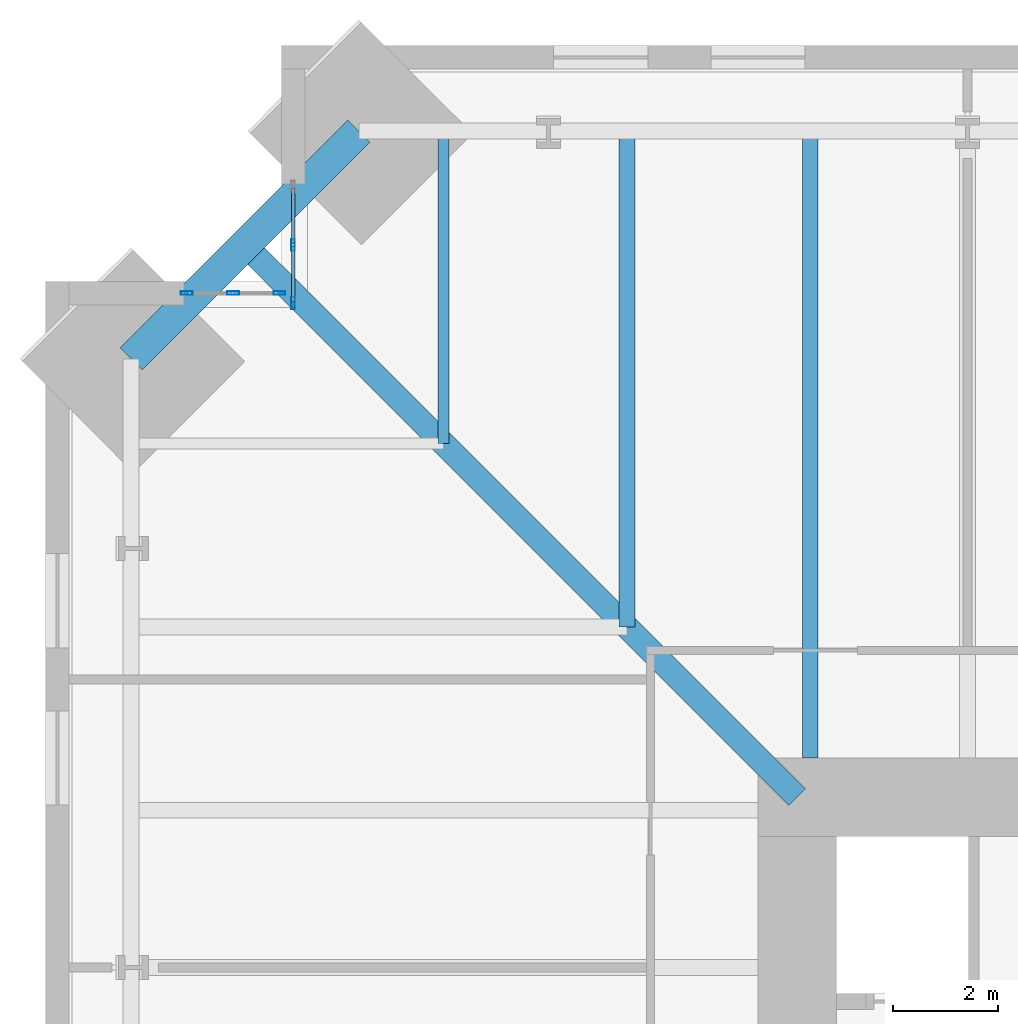
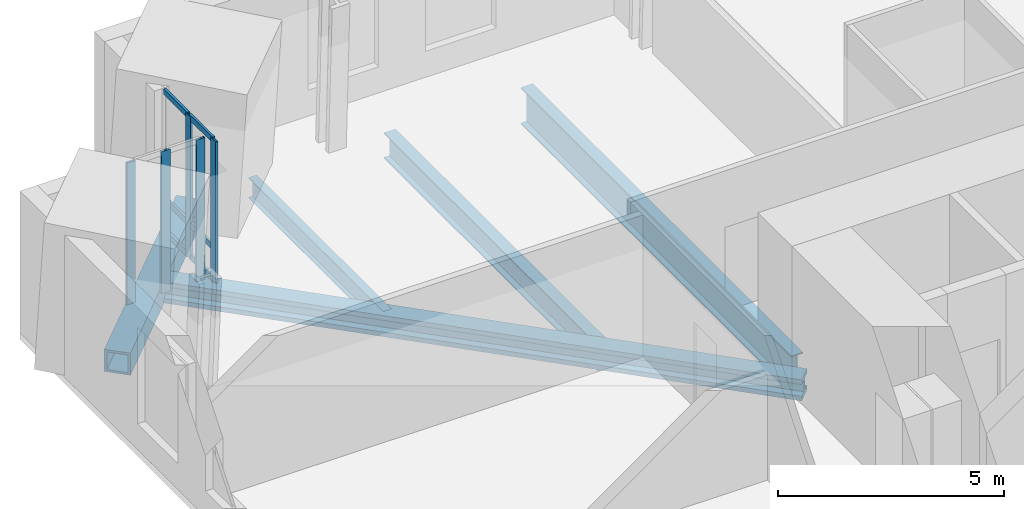
# One storey, part 6 of 18: 11 members, 5 beams, 2 elements without a shape of their own.
"""IFC4 building model written with IfcOpenShell, lengths in metres."""

from ifc_helpers import new_model, si_unit, direction, frame, origin, origin_2d, place, context, subcontext, project, spatial, hollow_rectangle, i_section, extrude, material, material_profile, profile_set, type_object, element, aggregate, save


model = new_model("IFC4")

# Units and contexts
model_context = context("Model", 3, precision=1e-05, world=origin(), true_north=direction((0.0, 1.0)))
body_context = subcontext(model_context, "Body", "Model", "MODEL_VIEW")
ifc_project = project(units=[si_unit("LENGTHUNIT", "METRE"), si_unit("AREAUNIT", "SQUARE_METRE"), si_unit("VOLUMEUNIT", "CUBIC_METRE"), si_unit("PLANEANGLEUNIT", "RADIAN"), si_unit("MASSUNIT", "GRAM", prefix="KILO")], contexts=[model_context])

# Site, building, storey
site_placement = place(None, origin())
site = spatial("IfcSite", under=ifc_project, at=site_placement, CompositionType="ELEMENT")
building_placement = place(site_placement, origin())
building = spatial("IfcBuilding", under=site, at=building_placement, Name="Peilmerk Tower", CompositionType="ELEMENT")
storey_placement = place(building_placement, frame((0.0, 0.0, 171.800048828125)))
storey = spatial("IfcBuildingStorey", under=building, at=storey_placement, Name="L36", CompositionType="ELEMENT", Elevation=171.800048828125)

# Beams
ifc_material_1 = material(Name="Steel S355", Category="steel")
ifc_material_profile_1 = material_profile(ifc_material_1, i_section(OverallWidth=0.2099609375, OverallDepth=0.550048828125, WebThickness=0.010986328125, FlangeThickness=0.01708984375, at=origin_2d()), Name="IPE 550")
ifc_profile_set_1 = profile_set([ifc_material_profile_1], Name="Steel S355")
beam_type_1 = type_object("IfcBeamType", Name="B12 IPE 550 floor beam", PredefinedType="BEAM", material=ifc_profile_set_1)
beam_1_placement = place(storey_placement, frame((-18.0, 18.0, -0.445068359375), z_axis=(0.0, 1.0, 0.0), x_axis=(-1.0, 0.0, 0.0)))
element("IfcBeam", 1, at=beam_1_placement, inside=storey, type_object=beam_type_1, Name="Floor beam L36", PredefinedType="BEAM", context=body_context, shape_type="SweptSolid", body=[
    extrude(i_section(OverallWidth=0.2099609375, OverallDepth=0.550048828125, WebThickness=0.010986328125, FlangeThickness=0.01708984375, at=origin_2d()), origin(), (0.0, 0.0, 1.0), 5.96923828125),
])
ifc_material_profile_2 = material_profile(ifc_material_1, i_section(OverallWidth=0.300048828125, OverallDepth=0.989990234375, WebThickness=0.0166015625, FlangeThickness=0.031005859375, at=origin_2d()), Name="HEA 1000")
ifc_profile_set_2 = profile_set([ifc_material_profile_2], Name="Steel S355")
beam_type_2 = type_object("IfcBeamType", Name="B14 HEA 1000 floor girder", PredefinedType="BEAM", material=ifc_profile_set_2)
beam_2_placement = place(storey_placement, frame((-11.0, 12.0, -0.6650390625), z_axis=(0.0, 1.0, 0.0), x_axis=(-1.0, 0.0, 0.0)))
element("IfcBeam", 2, at=beam_2_placement, inside=storey, type_object=beam_type_2, Name="Floor beam L36", PredefinedType="BEAM", context=body_context, shape_type="SweptSolid", body=[
    extrude(i_section(OverallWidth=0.300048828125, OverallDepth=0.989990234375, WebThickness=0.0166015625, FlangeThickness=0.031005859375, at=origin_2d()), origin(), (0.0, 0.0, 1.0), 11.96923828125),
])
ifc_material_profile_3 = material_profile(ifc_material_1, i_section(OverallWidth=0.300048828125, OverallDepth=0.68994140625, WebThickness=0.014404296875, FlangeThickness=0.027099609375, at=origin_2d()), Name="HEA 700")
ifc_profile_set_3 = profile_set([ifc_material_profile_3], Name="Steel S355")
beam_type_3 = type_object("IfcBeamType", Name="B16 HEA 700 floor beam", PredefinedType="BEAM", material=ifc_profile_set_3)
beam_3_placement = place(storey_placement, frame((-14.5, 14.5, -0.51513671875), z_axis=(0.0, 1.0, 0.0), x_axis=(-1.0, 0.0, 0.0)))
element("IfcBeam", 3, at=beam_3_placement, inside=storey, type_object=beam_type_3, Name="Floor beam L36", PredefinedType="BEAM", context=body_context, shape_type="SweptSolid", body=[
    extrude(i_section(OverallWidth=0.300048828125, OverallDepth=0.68994140625, WebThickness=0.014404296875, FlangeThickness=0.027099609375, at=origin_2d()), origin(), (0.0, 0.0, 1.0), 9.46923828125),
])
ifc_material_2 = material(Name="Steel S460", Category="steel")
ifc_material_profile_4 = material_profile(ifc_material_2, hollow_rectangle(XDim=0.60009765625, YDim=0.60009765625, WallThickness=0.06005859375, at=origin_2d()), Name="BOX 600x600x60")
ifc_profile_set_4 = profile_set([ifc_material_profile_4], Name="Steel S460")
beam_type_4 = type_object("IfcBeamType", Name="B20 BOX 600x600x60 notch beam", PredefinedType="SPANDREL", material=ifc_profile_set_4)
beam_4_placement = place(storey_placement, frame((-23.96923828125, 19.619384765625, -0.469970703125), z_axis=(0.707106781187, 0.707106781187, 0.0), x_axis=(-0.707106781187, 0.707106781187, 0.0)))
element("IfcBeam", 4, at=beam_4_placement, inside=storey, type_object=beam_type_4, Name="Notch beam L36", PredefinedType="SPANDREL", context=body_context, shape_type="SweptSolid", body=[
    extrude(hollow_rectangle(XDim=0.60009765625, YDim=0.60009765625, WallThickness=0.06005859375, at=origin_2d()), origin(), (0.0, 0.0, 1.0), 6.151611328125),
])
ifc_material_profile_5 = material_profile(ifc_material_2, i_section(OverallWidth=0.4541015625, OverallDepth=0.569091796875, WebThickness=0.077880859375, FlangeThickness=0.125, at=origin_2d()), Name="HD 400x1086")
ifc_profile_set_5 = profile_set([ifc_material_profile_5], Name="Steel S460")
beam_type_5 = type_object("IfcBeamType", Name="B9 HD 400x1086 corner girder", PredefinedType="BEAM", material=ifc_profile_set_5)
beam_5_placement = place(storey_placement, frame((-11.25, 11.25, -0.45458984375), z_axis=(-0.707106781187, 0.707106781187, 0.0), x_axis=(-0.707106781187, -0.707106781187, 0.0)))
element("IfcBeam", 5, at=beam_5_placement, inside=storey, type_object=beam_type_5, Name="Corner girder L36", PredefinedType="BEAM", context=body_context, shape_type="SweptSolid", body=[
    extrude(i_section(OverallWidth=0.4541015625, OverallDepth=0.569091796875, WebThickness=0.077880859375, FlangeThickness=0.125, at=origin_2d()), origin(), (0.0, 0.0, 1.0), 14.912109375),
])

# Curtain wall, members
ifc_material_3 = material(Name="Aluminium stick curtain wall", Category="aluminium")
curtain_wall_type = type_object("IfcCurtainWallType", Name="CW3 stick curtain wall, 2250 module", PredefinedType="NOTDEFINED", material=ifc_material_3)
curtain_wall_1_placement = place(storey_placement, origin())
curtain_wall_1 = element("IfcCurtainWall", 6, at=curtain_wall_1_placement, inside=storey, type_object=curtain_wall_type, Name="Curtain wall CW3 NWA L36", PredefinedType="NOTDEFINED")
ifc_material_4 = material(Name="Aluminium EN AW-6063 T6", Category="aluminium")
ifc_material_profile_6 = material_profile(ifc_material_4, hollow_rectangle(XDim=0.06494140625, YDim=0.22509765625, WallThickness=0.00390625, at=origin_2d()), Name="AL 225x65x4")
ifc_profile_set_6 = profile_set([ifc_material_profile_6], Name="Aluminium EN AW-6063 T6")
member_type_1 = type_object("IfcMemberType", Name="CW3-M AL 225x65x4 mullion", PredefinedType="MULLION", material=ifc_profile_set_6)
member_1_placement = place(storey_placement, frame((-20.875, 20.6826171875, 0.0), z_axis=(0.0, 0.0, 1.0), x_axis=(-1.0, 0.0, 0.0)))
member_1 = element("IfcMember", 7, at=member_1_placement, type_object=member_type_1, Name="CW3 mullion 1", PredefinedType="MULLION", context=body_context, shape_type="SweptSolid", body=[
    extrude(hollow_rectangle(XDim=0.06494140625, YDim=0.22509765625, WallThickness=0.00390625, at=origin_2d()), origin(), (0.0, 0.0, 1.0), 3.829833984375),
])
member_2_placement = place(storey_placement, frame((-20.875, 21.79443359375, 0.0), z_axis=(0.0, 0.0, 1.0), x_axis=(-1.0, 0.0, 0.0)))
member_2 = element("IfcMember", 8, at=member_2_placement, type_object=member_type_1, Name="CW3 mullion 2", PredefinedType="MULLION", context=body_context, shape_type="SweptSolid", body=[
    extrude(hollow_rectangle(XDim=0.06494140625, YDim=0.22509765625, WallThickness=0.00390625, at=origin_2d()), origin(), (0.0, 0.0, 1.0), 3.829833984375),
])

curtain_wall_2_placement = place(storey_placement, origin())
curtain_wall_2 = element("IfcCurtainWall", 9, at=curtain_wall_2_placement, inside=storey, type_object=curtain_wall_type, Name="Curtain wall CW3 NWB L36", PredefinedType="NOTDEFINED")
member_3_placement = place(storey_placement, frame((-21.132568359375, 20.875, 0.0), z_axis=(0.0, 0.0, 1.0), x_axis=(0.0, -1.0, 0.0)))
member_3 = element("IfcMember", 10, at=member_3_placement, type_object=member_type_1, Name="CW3 mullion 1", PredefinedType="MULLION", context=body_context, shape_type="SweptSolid", body=[
    extrude(hollow_rectangle(XDim=0.06494140625, YDim=0.22509765625, WallThickness=0.00390625, at=origin_2d()), origin(), (0.0, 0.0, 1.0), 3.829833984375),
])
member_4_placement = place(storey_placement, frame((-22.019287109375, 20.875, 0.0), z_axis=(0.0, 0.0, 1.0), x_axis=(0.0, -1.0, 0.0)))
member_4 = element("IfcMember", 11, at=member_4_placement, type_object=member_type_1, Name="CW3 mullion 2", PredefinedType="MULLION", context=body_context, shape_type="SweptSolid", body=[
    extrude(hollow_rectangle(XDim=0.06494140625, YDim=0.22509765625, WallThickness=0.00390625, at=origin_2d()), origin(), (0.0, 0.0, 1.0), 3.829833984375),
])
member_5_placement = place(storey_placement, frame((-22.90625, 20.875, 0.0), z_axis=(0.0, 0.0, 1.0), x_axis=(0.0, -1.0, 0.0)))
member_5 = element("IfcMember", 12, at=member_5_placement, type_object=member_type_1, Name="CW3 mullion 3", PredefinedType="MULLION", context=body_context, shape_type="SweptSolid", body=[
    extrude(hollow_rectangle(XDim=0.06494140625, YDim=0.22509765625, WallThickness=0.00390625, at=origin_2d()), origin(), (0.0, 0.0, 1.0), 3.829833984375),
])
aggregate(curtain_wall_2, [member_3, member_4, member_5])

# Member
ifc_material_profile_7 = material_profile(ifc_material_4, hollow_rectangle(XDim=0.06494140625, YDim=0.14990234375, WallThickness=0.0029296875, at=origin_2d()), Name="AL 150x65x3")
ifc_profile_set_7 = profile_set([ifc_material_profile_7], Name="Aluminium EN AW-6063 T6")
member_type_2 = type_object("IfcMemberType", Name="CW3-T AL 150x65x3 transom", PredefinedType="USERDEFINED", material=ifc_profile_set_7)
member_6_placement = place(storey_placement, frame((-20.875, 20.715087890625, 0.032470703125), z_axis=(0.0, 1.0, 0.0), x_axis=(-1.0, 0.0, 0.0)))
member_6 = element("IfcMember", 13, at=member_6_placement, type_object=member_type_2, Name="CW3 transom 1.1", ObjectType="TRANSOM", PredefinedType="USERDEFINED", context=body_context, shape_type="SweptSolid", body=[
    extrude(hollow_rectangle(XDim=0.06494140625, YDim=0.14990234375, WallThickness=0.0029296875, at=origin_2d()), origin(), (0.0, 0.0, 1.0), 1.046630859375),
])

member_7_placement = place(storey_placement, frame((-20.875, 20.715087890625, 0.89990234375), z_axis=(0.0, 1.0, 0.0), x_axis=(-1.0, 0.0, 0.0)))
member_7 = element("IfcMember", 14, at=member_7_placement, type_object=member_type_2, Name="CW3 transom 1.2", ObjectType="TRANSOM", PredefinedType="USERDEFINED", context=body_context, shape_type="SweptSolid", body=[
    extrude(hollow_rectangle(XDim=0.06494140625, YDim=0.14990234375, WallThickness=0.0029296875, at=origin_2d()), origin(), (0.0, 0.0, 1.0), 1.046630859375),
])

member_8_placement = place(storey_placement, frame((-20.875, 20.715087890625, 3.79736328125), z_axis=(0.0, 1.0, 0.0), x_axis=(-1.0, 0.0, 0.0)))
member_8 = element("IfcMember", 15, at=member_8_placement, type_object=member_type_2, Name="CW3 transom 1.3", ObjectType="TRANSOM", PredefinedType="USERDEFINED", context=body_context, shape_type="SweptSolid", body=[
    extrude(hollow_rectangle(XDim=0.06494140625, YDim=0.14990234375, WallThickness=0.0029296875, at=origin_2d()), origin(), (0.0, 0.0, 1.0), 1.046630859375),
])

member_9_placement = place(storey_placement, frame((-20.875, 21.826904296875, 0.032470703125), z_axis=(0.0, 1.0, 0.0), x_axis=(-1.0, 0.0, 0.0)))
member_9 = element("IfcMember", 16, at=member_9_placement, type_object=member_type_2, Name="CW3 transom 2.1", ObjectType="TRANSOM", PredefinedType="USERDEFINED", context=body_context, shape_type="SweptSolid", body=[
    extrude(hollow_rectangle(XDim=0.06494140625, YDim=0.14990234375, WallThickness=0.0029296875, at=origin_2d()), origin(), (0.0, 0.0, 1.0), 1.046875),
])

member_10_placement = place(storey_placement, frame((-20.875, 21.826904296875, 0.89990234375), z_axis=(0.0, 1.0, 0.0), x_axis=(-1.0, 0.0, 0.0)))
member_10 = element("IfcMember", 17, at=member_10_placement, type_object=member_type_2, Name="CW3 transom 2.2", ObjectType="TRANSOM", PredefinedType="USERDEFINED", context=body_context, shape_type="SweptSolid", body=[
    extrude(hollow_rectangle(XDim=0.06494140625, YDim=0.14990234375, WallThickness=0.0029296875, at=origin_2d()), origin(), (0.0, 0.0, 1.0), 1.046875),
])

member_11_placement = place(storey_placement, frame((-20.875, 21.826904296875, 3.79736328125), z_axis=(0.0, 1.0, 0.0), x_axis=(-1.0, 0.0, 0.0)))
member_11 = element("IfcMember", 18, at=member_11_placement, type_object=member_type_2, Name="CW3 transom 2.3", ObjectType="TRANSOM", PredefinedType="USERDEFINED", context=body_context, shape_type="SweptSolid", body=[
    extrude(hollow_rectangle(XDim=0.06494140625, YDim=0.14990234375, WallThickness=0.0029296875, at=origin_2d()), origin(), (0.0, 0.0, 1.0), 1.046875),
])

aggregate(curtain_wall_1, [member_1, member_2, member_6, member_7, member_8, member_9, member_10, member_11])

save(model, "model.ifc")
